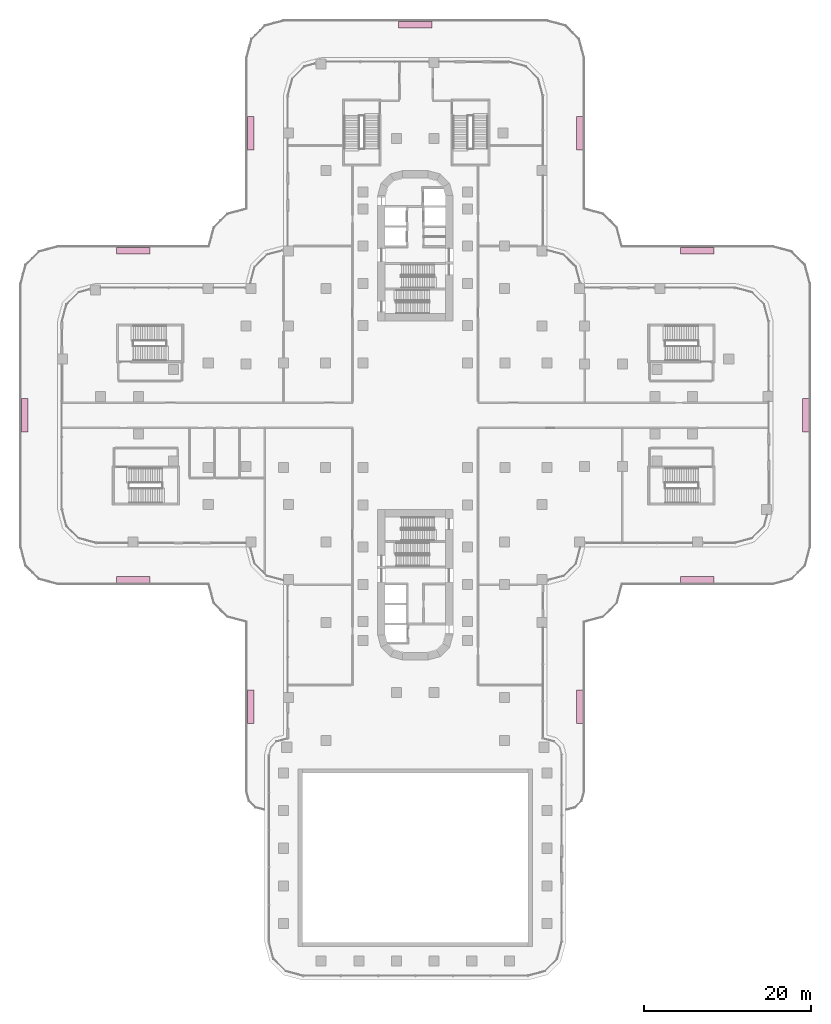
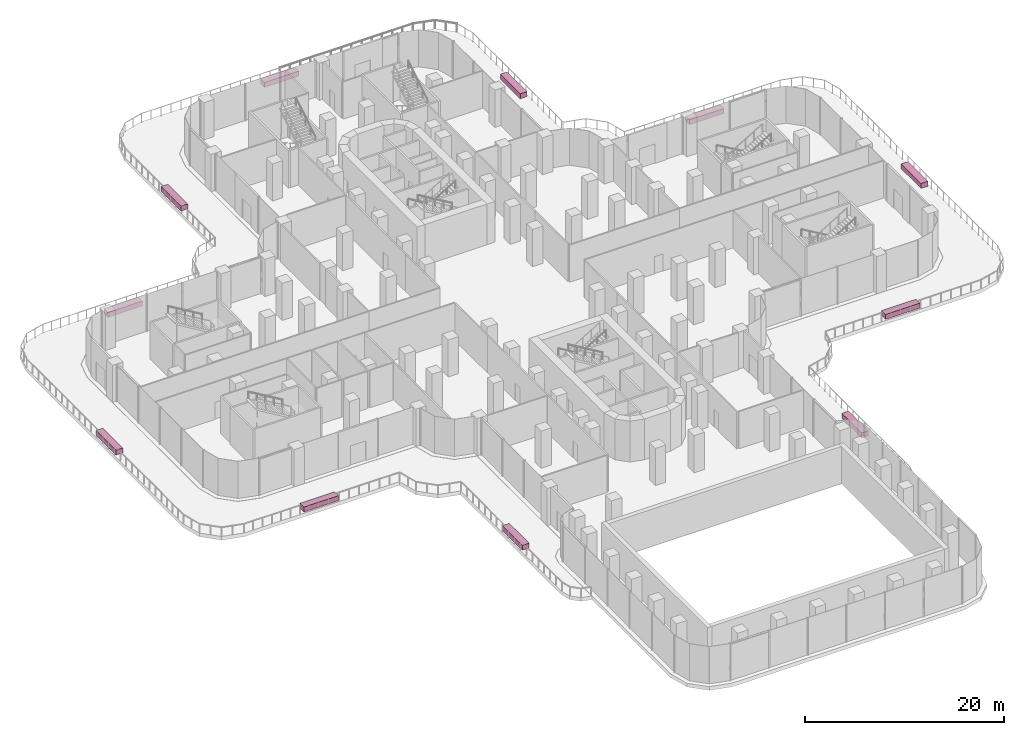
# One storey, part 27 of 27: 11 furniture elements.
"""IFC4 building model written with IfcOpenShell, lengths in metres."""

from ifc_helpers import new_model, si_unit, direction, frame, origin, origin_2d, place, context, subcontext, project, spatial, rectangle, extrude, material, type_object, element, save


model = new_model("IFC4")

# Units and contexts
model_context = context("Model", 3, precision=1e-05, world=origin(), true_north=direction((0.0, 1.0)))
body_context = subcontext(model_context, "Body", "Model", "MODEL_VIEW")
ifc_project = project(units=[si_unit("LENGTHUNIT", "METRE"), si_unit("AREAUNIT", "SQUARE_METRE"), si_unit("VOLUMEUNIT", "CUBIC_METRE"), si_unit("PLANEANGLEUNIT", "RADIAN"), si_unit("MASSUNIT", "GRAM", prefix="KILO")], contexts=[model_context])

# Site, building, storey
site_placement = place(None, origin())
site = spatial("IfcSite", under=ifc_project, at=site_placement, CompositionType="ELEMENT")
building_placement = place(site_placement, origin())
building = spatial("IfcBuilding", under=site, at=building_placement, Name="Zarbagh Exchange Tower", CompositionType="ELEMENT")
storey_placement = place(building_placement, frame((0.0, 0.0, 17.0)))
storey = spatial("IfcBuildingStorey", under=building, at=storey_placement, Name="L03", CompositionType="ELEMENT", Elevation=17.0)

# Furniture
ifc_material = material(Name="Concrete C40/50", Category="concrete")
furniture_type = type_object("IfcFurnitureType", Name="PLANTER planting bed, concrete trough", AssemblyPlace="NOTDEFINED", PredefinedType="USERDEFINED", material=ifc_material)
for number, where, z_axis, x_axis, name in (
    (1, (-19.669921875, -34.839111328125, 0.0), (0.0, 0.0, 1.0), (0.0, 1.0, 0.0), "planter"),
    (2, (-33.714111328125, -19.669921875, 0.0), (0.0, 0.0, 1.0), (-1.0, 0.0, 0.0), "planter"),
    (3, (-46.669921875, 0.0, 0.0), (0.0, 0.0, 1.0), (0.0, 1.0, 0.0), "planter"),
    (4, (-33.714111328125, 19.669921875, 0.0), (0.0, 0.0, 1.0), (1.0, 0.0, 0.0), "planter"),
    (5, (-19.669921875, 33.714111328125, 0.0), (0.0, 0.0, 1.0), (0.0, 1.0, 0.0), "planter"),
    (6, (0.0, 46.669921875, 0.0), (0.0, 0.0, 1.0), (1.0, 0.0, 0.0), "planter"),
    (7, (19.669921875, 33.714111328125, 0.0), (0.0, 0.0, 1.0), (0.0, -1.0, 0.0), "planter"),
    (8, (33.714111328125, 19.669921875, 0.0), (0.0, 0.0, 1.0), (1.0, 0.0, 0.0), "planter"),
    (9, (46.669921875, 0.0, 0.0), (0.0, 0.0, 1.0), (0.0, -1.0, 0.0), "planter"),
    (10, (33.714111328125, -19.669921875, 0.0), (0.0, 0.0, 1.0), (-1.0, 0.0, 0.0), "planter"),
    (11, (19.669921875, -34.839111328125, 0.0), (0.0, 0.0, 1.0), (0.0, -1.0, 0.0), "planter"),
):
    element("IfcFurniture", number, at=place(storey_placement, frame(where, z_axis=z_axis, x_axis=x_axis)), inside=storey, type_object=furniture_type, Name=name, ObjectType="PLANTER", PredefinedType="USERDEFINED", context=body_context, shape_type="SweptSolid", body=[
        extrude(rectangle(XDim=4.0, YDim=0.800048828125, at=origin_2d()), origin(), (0.0, 0.0, 1.0), 0.60009765625),
    ])

save(model, "model.ifc")
